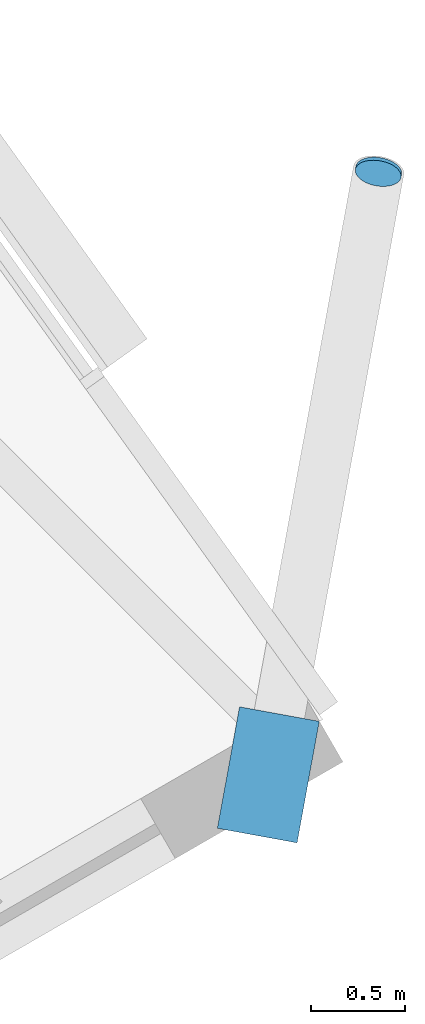
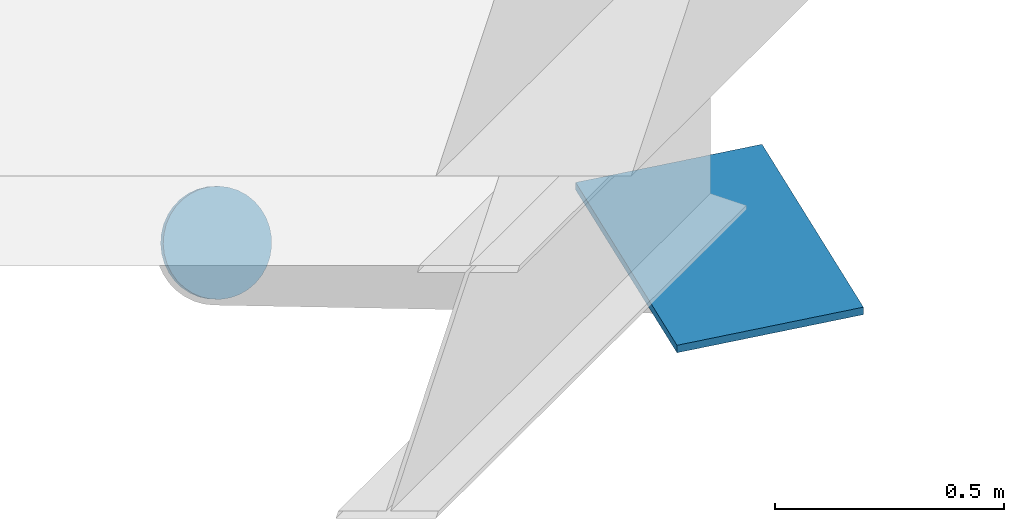
# One storey, part 32 of 38: 2 discrete accessories.
"""IFC4 building model written with IfcOpenShell, lengths in metres."""

import ifcopenshell
import ifcopenshell.guid

model = None  # the IFC model being written
_history = None  # IfcOwnerHistory: only IFC2X3 demands one
_inside = {}  # id of a spatial element -> (the spatial element, [elements in it])
_under = {}  # id of a project, library or spatial element -> (it, [spatial elements below it])
_declared = {}  # id of a project -> (the project, [libraries it declares])
_typed = {}  # id of a type object -> (the type object, [elements of that type])
_made_of = {}  # id of a material, layer set ... -> (it, [elements and type objects made of it])


def new_model(schema):
    """Start an empty IFC model of exactly this schema.

    Asked for "IFC4X3", IfcOpenShell would pick the latest addendum, in which some entities
    have other attributes; the version numbers below select the first issue.
    IFC2X3 requires an IfcOwnerHistory on every rooted entity: one is made here for all.
    """
    global model, _history
    if schema == "IFC4X3":
        model = ifcopenshell.file(schema_version=(4, 3, 0, 0))
    else:
        model = ifcopenshell.file(schema=schema)
    _inside.clear()
    _under.clear()
    _declared.clear()
    _typed.clear()
    _made_of.clear()
    _history = None
    if model.schema == "IFC2X3":
        org = make("IfcOrganization", Name="unknown")
        user = make(
            "IfcPersonAndOrganization",
            ThePerson=make("IfcPerson", FamilyName="unknown"),
            TheOrganization=org,
        )
        app = make(
            "IfcApplication",
            ApplicationDeveloper=org,
            Version="unknown",
            ApplicationFullName="unknown",
            ApplicationIdentifier="unknown",
        )
        _history = make(
            "IfcOwnerHistory",
            OwningUser=user,
            OwningApplication=app,
            ChangeAction="ADDED",
            CreationDate=0,
        )
    return model


def make(cls, **values):
    """One entity of the class cls with the attributes given. An attribute that is None is left unset."""
    return model.create_entity(
        cls, **{name: value for name, value in values.items() if value is not None}
    )


def rooted(cls, **values):
    """An entity with a GlobalId (a new one), such as an element, a storey or a relation."""
    return make(cls, GlobalId=ifcopenshell.guid.new(), OwnerHistory=_history, **values)


def si_unit(unit_type, name, prefix=None):
    """IfcSIUnit, for example si_unit("LENGTHUNIT", "METRE", prefix="MILLI")."""
    return make("IfcSIUnit", UnitType=unit_type, Prefix=prefix, Name=name)


def assignment(units):
    """IfcUnitAssignment: the units of a project."""
    return None if units is None else make("IfcUnitAssignment", Units=units)


def point(xyz):
    """IfcCartesianPoint."""
    return None if xyz is None else make("IfcCartesianPoint", Coordinates=xyz)


def direction(xyz):
    """IfcDirection."""
    return None if xyz is None else make("IfcDirection", DirectionRatios=xyz)


def frame(location, z_axis=None, x_axis=None):
    """IfcAxis2Placement3D, a coordinate frame: its origin and axes. An axis left out is left unset."""
    return make(
        "IfcAxis2Placement3D",
        Location=point(location),
        Axis=direction(z_axis),
        RefDirection=direction(x_axis),
    )


def frame_2d(location, x_axis=None):
    """IfcAxis2Placement2D, a coordinate frame in the plane: its origin and x axis."""
    return make(
        "IfcAxis2Placement2D", Location=point(location), RefDirection=direction(x_axis)
    )


def origin():
    """The frame at (0, 0, 0) with its axes left unset."""
    return frame((0.0, 0.0, 0.0))


def origin_2d():
    """The frame at (0, 0) in the plane with its x axis left unset."""
    return frame_2d((0.0, 0.0))


def place(relative_to, where):
    """IfcLocalPlacement: puts the frame where relative to a parent placement (None: the world)."""
    return make(
        "IfcLocalPlacement", PlacementRelTo=relative_to, RelativePlacement=where
    )


def context(
    kind, dimensions, precision=None, world=None, true_north=None, identifier=None
):
    """IfcGeometricRepresentationContext, for example the 3D "Model" context."""
    return make(
        "IfcGeometricRepresentationContext",
        ContextIdentifier=identifier,
        ContextType=kind,
        CoordinateSpaceDimension=dimensions,
        Precision=precision,
        WorldCoordinateSystem=world,
        TrueNorth=true_north,
    )


def subcontext(parent, identifier, kind, view, scale=None):
    """IfcGeometricRepresentationSubContext, for example "Body" below "Model"."""
    return make(
        "IfcGeometricRepresentationSubContext",
        ContextIdentifier=identifier,
        ContextType=kind,
        ParentContext=parent,
        TargetScale=scale,
        TargetView=view,
    )


def project(units=None, contexts=None):
    """IfcProject with its units and contexts."""
    return rooted(
        "IfcProject",
        Name="project",
        RepresentationContexts=contexts,
        UnitsInContext=assignment(units),
    )


def spatial(cls, under=None, at=None, **own):
    """A site, building, storey or space (cls), placed at a placement, below another one or the project."""
    s = rooted(cls, ObjectPlacement=at, **own)
    if under is not None:
        _under.setdefault(under.id(), (under, []))[1].append(s)
    return s


def polyline(points):
    """IfcPolyline through the points."""
    return make("IfcPolyline", Points=[point(p) for p in points])


def profile(cls, at=None, kind="AREA", **sizes):
    """A parametric profile (cls). Its sizes go by their IFC names, for example OverallWidth=200.0."""
    return make(cls, ProfileType=kind, Position=at, **sizes)


def rectangle(**sizes):
    """IfcRectangleProfileDef."""
    return profile("IfcRectangleProfileDef", **sizes)


def circle(**sizes):
    """IfcCircleProfileDef."""
    return profile("IfcCircleProfileDef", **sizes)


def outline(outer, holes=None, kind="AREA"):
    """IfcArbitraryClosedProfileDef: a profile drawn as a closed curve; with holes, ...WithVoids."""
    if holes is None:
        return make("IfcArbitraryClosedProfileDef", ProfileType=kind, OuterCurve=outer)
    return make(
        "IfcArbitraryProfileDefWithVoids",
        ProfileType=kind,
        OuterCurve=outer,
        InnerCurves=holes,
    )


def extrude(swept, where, along, depth):
    """IfcExtrudedAreaSolid: the profile swept, set in the frame where, extruded along a direction by depth."""
    return make(
        "IfcExtrudedAreaSolid",
        SweptArea=swept,
        Position=where,
        ExtrudedDirection=direction(along),
        Depth=depth,
    )


def shape(context_of_items, identifier, shape_type, items):
    """IfcShapeRepresentation: the items that make up one representation, for example the "Body"."""
    return make(
        "IfcShapeRepresentation",
        ContextOfItems=context_of_items,
        RepresentationIdentifier=identifier,
        RepresentationType=shape_type,
        Items=items,
    )


def material(Name=None, Category=None):
    """IfcMaterial."""
    return make("IfcMaterial", Name=Name, Category=Category)


def material_profile(
    of_material, cross_section, Name=None, Category=None, Priority=None
):
    """IfcMaterialProfile: a cross section and its material."""
    return make(
        "IfcMaterialProfile",
        Name=Name,
        Material=of_material,
        Profile=cross_section,
        Priority=Priority,
        Category=Category,
    )


def profile_set(profiles, Name=None, composite=None):
    """IfcMaterialProfileSet."""
    return make(
        "IfcMaterialProfileSet",
        Name=Name,
        MaterialProfiles=profiles,
        CompositeProfile=composite,
    )


def made_of(thing, what):
    """Note that an element or type object is made of a material, layer set ...; save() writes the relation."""
    if what is not None:
        _made_of.setdefault(what.id(), (what, []))[1].append(thing)
    return thing


def type_object(cls, material=None, **own):
    """A type object (cls), such as IfcWallType, which elements share."""
    return made_of(rooted(cls, **own), material)


def element(
    cls,
    number,
    at=None,
    inside=None,
    cuts=None,
    type_object=None,
    material=None,
    context=None,
    identifier="Body",
    shape_type=None,
    held_by="IfcProductDefinitionShape",
    body=None,
    shapes=None,
    **own,
):
    """One element of the class cls, such as IfcWall. Its Tag is "e" and its number.

    at: its placement. inside: the storey or other place that contains it. cuts: it is an
    opening in that element (IfcRelVoidsElement). A single representation is given by context,
    identifier, shape_type and body (its items); several are given by shapes. held_by: the class
    of the entity that holds the representations. save() writes the other relations.
    """
    e = rooted(cls, Tag="e%d" % number, ObjectPlacement=at, **own)
    if body is not None:
        shapes = [shape(context, identifier, shape_type, body)]
    if shapes is not None:
        e.Representation = make(held_by, Representations=shapes)
    if inside is not None:
        _inside.setdefault(inside.id(), (inside, []))[1].append(e)
    if cuts is not None:
        rooted(
            "IfcRelVoidsElement", RelatingBuildingElement=cuts, RelatedOpeningElement=e
        )
    if type_object is not None:
        _typed.setdefault(type_object.id(), (type_object, []))[1].append(e)
    return made_of(e, material)


def aggregate(whole, parts):
    """IfcRelAggregates: a whole, such as a stair, and the parts it consists of."""
    return rooted("IfcRelAggregates", RelatingObject=whole, RelatedObjects=parts)


def save(model, path):
    """Write the relations noted so far, then the file.

    IfcRelAggregates (storeys below a building ...), IfcRelContainedInSpatialStructure (elements
    in a storey), IfcRelDefinesByType, IfcRelAssociatesMaterial and IfcRelDeclares: one each for
    every whole, place, type object, material and project.
    """
    for whole, parts in _under.values():
        aggregate(whole, parts)
    for where, things in _inside.values():
        rooted(
            "IfcRelContainedInSpatialStructure",
            RelatedElements=things,
            RelatingStructure=where,
        )
    for kind, things in _typed.values():
        rooted("IfcRelDefinesByType", RelatedObjects=things, RelatingType=kind)
    for what, things in _made_of.values():
        rooted("IfcRelAssociatesMaterial", RelatedObjects=things, RelatingMaterial=what)
    for by, libraries in _declared.values():
        rooted("IfcRelDeclares", RelatingContext=by, RelatedDefinitions=libraries)
    model.write(path)


model = new_model("IFC4")

# Units and contexts
model_context = context("Model", 3, precision=1e-05, world=origin(), true_north=direction((0.0, 1.0)))
body_context = subcontext(model_context, "Body", "Model", "MODEL_VIEW")
ifc_project = project(units=[si_unit("LENGTHUNIT", "METRE"), si_unit("AREAUNIT", "SQUARE_METRE"), si_unit("VOLUMEUNIT", "CUBIC_METRE"), si_unit("PLANEANGLEUNIT", "RADIAN"), si_unit("MASSUNIT", "GRAM", prefix="KILO")], contexts=[model_context])

# Site, building, storey
site_placement = place(None, origin())
site = spatial("IfcSite", under=ifc_project, at=site_placement, CompositionType="ELEMENT")
building_placement = place(site_placement, origin())
building = spatial("IfcBuilding", under=site, at=building_placement, Name="Rimbun Link Towers", CompositionType="ELEMENT")
storey_placement = place(building_placement, frame((0.0, 0.0, 123.39990234375)))
storey = spatial("IfcBuildingStorey", under=building, at=storey_placement, Name="L30", CompositionType="ELEMENT", Elevation=123.39990234375)

# Discrete accessories
ifc_material_1 = material(Name="Steel S355J2H", Category="steel")
ifc_material_profile_1 = material_profile(ifc_material_1, circle(Radius=0.1240234375, at=origin_2d()), Name="PL D248")
ifc_profile_set_1 = profile_set([ifc_material_profile_1], Name="Steel S355J2H")
discrete_accessory_type_1 = type_object("IfcDiscreteAccessoryType", Name="Link foot sealing plate D248X20", PredefinedType="BRACKET", material=ifc_profile_set_1)
discrete_accessory_1_placement = place(storey_placement, frame((51.858154296875, 14.356689453125, -2.7626953125), z_axis=(0.145596333607, 0.825045890439, -0.545986251026), x_axis=(-0.984783558818, 0.173785333909, 0.0)))
element("IfcDiscreteAccessory", 1, at=discrete_accessory_1_placement, inside=storey, type_object=discrete_accessory_type_1, Name="Link foot sealing plate T2 L30 23", PredefinedType="BRACKET", context=body_context, shape_type="SweptSolid", body=[
    extrude(circle(Radius=0.1240234375, at=origin_2d()), origin(), (0.0, 0.0, 1.0), 0.02001953125),
])
ifc_material_2 = material(Name="Steel S355J2H", Category="steel")
ifc_material_profile_2 = material_profile(ifc_material_2, rectangle(XDim=0.43310546875, YDim=0.43310546875, at=origin_2d()), Name="PL 433x433")
ifc_profile_set_2 = profile_set([ifc_material_profile_2], Name="Steel S355J2H")
discrete_accessory_type_2 = type_object("IfcDiscreteAccessoryType", Name="Link head end plate 433X20", PredefinedType="BRACKET", material=ifc_profile_set_2)
discrete_accessory_2_placement = place(storey_placement, frame((0.0, 0.0, -0.63330078125)))
element("IfcDiscreteAccessory", 2, at=discrete_accessory_2_placement, inside=storey, type_object=discrete_accessory_type_2, Name="Link head end plate T2 L30 23", PredefinedType="BRACKET", context=body_context, shape_type="SweptSolid", body=[
    extrude(outline(polyline([(51.424560546875, 10.779052734375), (51.543212890625, 11.42822265625), (51.1171875, 11.506103515625), (50.99853515625, 10.85693359375), (51.424560546875, 10.779052734375)])), origin(), (0.0, 0.0, 1.0), 0.02001953125),
])

save(model, "model.ifc")
